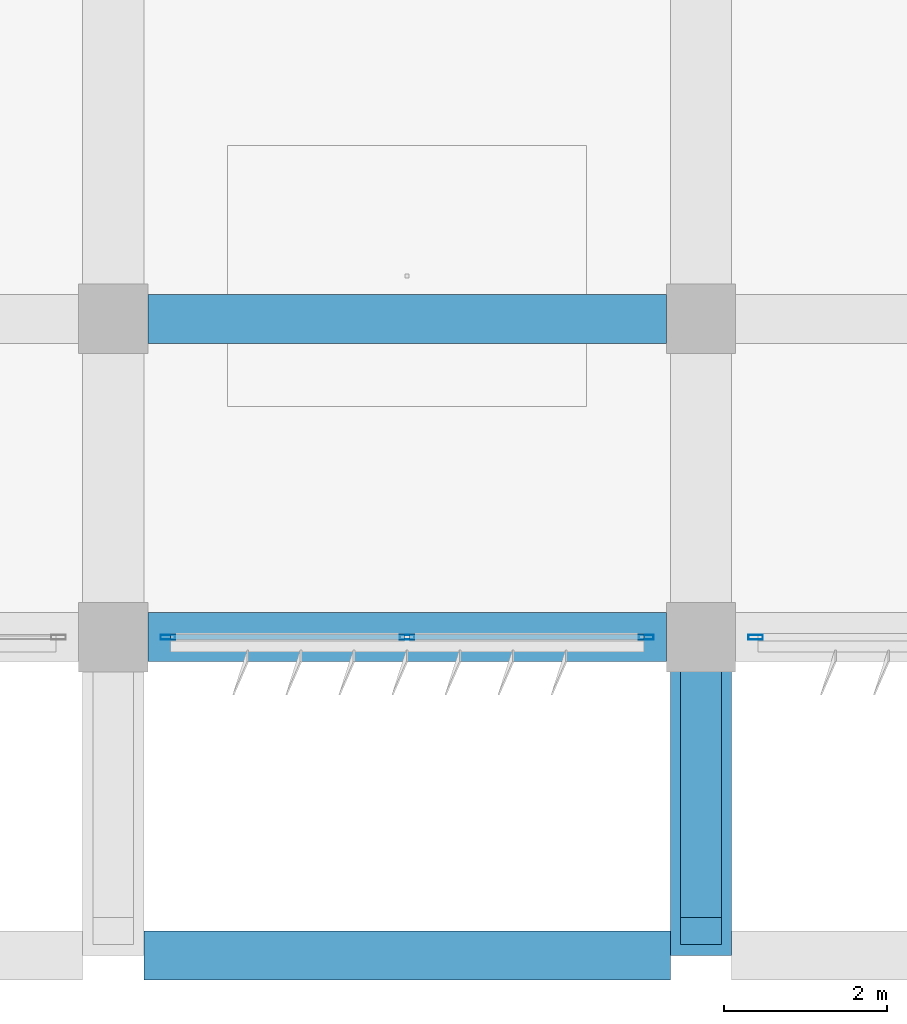
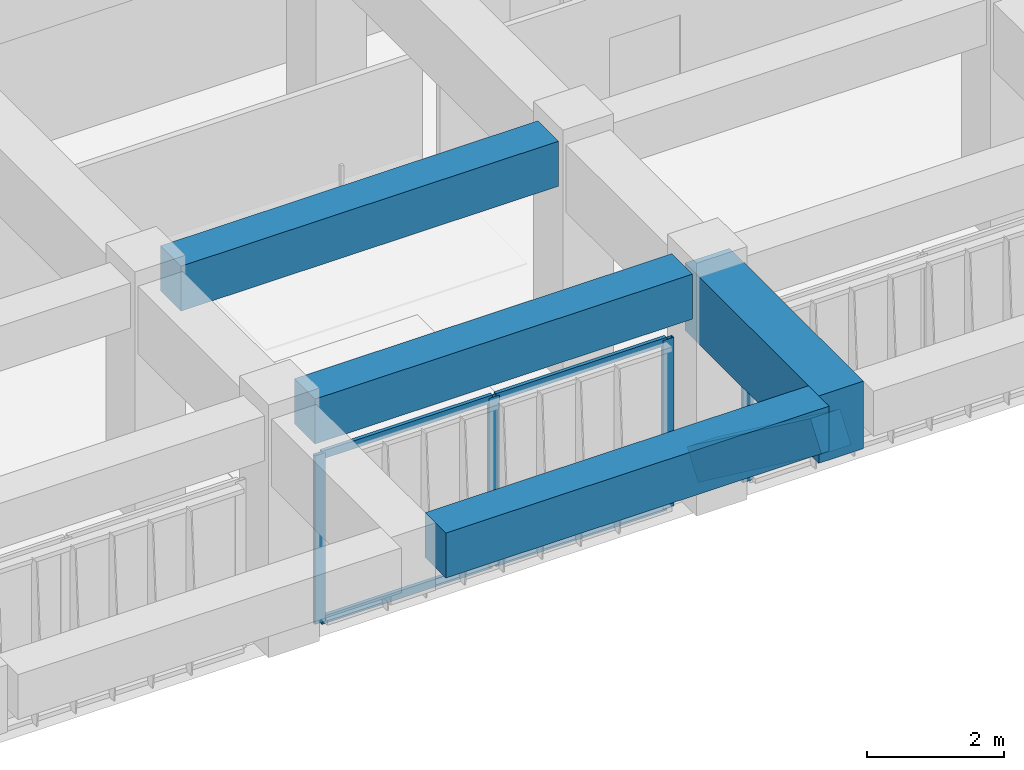
# One storey, part 3 of 56: 9 members, 4 beams, 2 elements without a shape of their own.
"""IFC4 building model written with IfcOpenShell, lengths in metres."""

from ifc_helpers import new_model, si_unit, direction, frame, origin, origin_2d, place, context, subcontext, project, spatial, rectangle, hollow_rectangle, extrude, material, material_profile, profile_set, type_object, element, aggregate, save


model = new_model("IFC4")

# Units and contexts
model_context = context("Model", 3, precision=1e-05, world=origin(), true_north=direction((0.0, 1.0)))
body_context = subcontext(model_context, "Body", "Model", "MODEL_VIEW")
ifc_project = project(units=[si_unit("LENGTHUNIT", "METRE"), si_unit("AREAUNIT", "SQUARE_METRE"), si_unit("VOLUMEUNIT", "CUBIC_METRE"), si_unit("PLANEANGLEUNIT", "RADIAN"), si_unit("MASSUNIT", "GRAM", prefix="KILO")], contexts=[model_context])

# Site, building, storey
site_placement = place(None, origin())
site = spatial("IfcSite", under=ifc_project, at=site_placement, CompositionType="ELEMENT")
building_placement = place(site_placement, origin())
building = spatial("IfcBuilding", under=site, at=building_placement, Name="Kazehaya Institute of Natural Sciences", CompositionType="ELEMENT")
storey_placement = place(building_placement, frame((0.0, 0.0, 24.300048828125)))
storey = spatial("IfcBuildingStorey", under=building, at=storey_placement, Name="L05", CompositionType="ELEMENT", Elevation=24.300048828125)

# Beams
ifc_material_1 = material(Name="Concrete Fc36", Category="concrete")
ifc_material_profile_1 = material_profile(ifc_material_1, rectangle(XDim=0.60009765625, YDim=0.800048828125, at=origin_2d()), Name="RC-600x800")
ifc_profile_set_1 = profile_set([ifc_material_profile_1], Name="Concrete Fc36")
beam_type_1 = type_object("IfcBeamType", Name="BM-G-600x800", PredefinedType="BEAM", material=ifc_profile_set_1)
beam_1_placement = place(storey_placement, frame((62.175048828125, 6.199951171875, 3.829833984375), z_axis=(1.0, 0.0, 0.0), x_axis=(0.0, 1.0, 0.0)))
element("IfcBeam", 1, at=beam_1_placement, inside=storey, type_object=beam_type_1, Name="L05 primary X girder BMX-L05-618-62", PredefinedType="BEAM", context=body_context, shape_type="SweptSolid", body=[
    extrude(rectangle(XDim=0.60009765625, YDim=0.800048828125, at=origin_2d()), origin(), (0.0, 0.0, 1.0), 6.449951171875),
])
for number, where, z_axis, x_axis, name in (
    (2, (62.22509765625, 10.10009765625, 3.829833984375), (1.0, 0.0, 0.0), (0.0, 1.0, 0.0), "L05 primary X girder BMX-L05-618-101"),
    (3, (62.22509765625, 14.0, 3.829833984375), (1.0, 0.0, 0.0), (0.0, 1.0, 0.0), "L05 primary X girder BMX-L05-618-140"),
):
    element("IfcBeam", number, at=place(storey_placement, frame(where, z_axis=z_axis, x_axis=x_axis)), inside=storey, type_object=beam_type_1, Name=name, PredefinedType="BEAM", context=body_context, shape_type="SweptSolid", body=[
        extrude(rectangle(XDim=0.60009765625, YDim=0.800048828125, at=origin_2d()), origin(), (0.0, 0.0, 1.0), 6.349853515625),
    ])
ifc_material_2 = material(Name="Concrete Fc42", Category="concrete")
ifc_material_profile_2 = material_profile(ifc_material_2, rectangle(XDim=0.75, YDim=1.199951171875, at=origin_2d()), Name="RC-750x1200")
ifc_profile_set_2 = profile_set([ifc_material_profile_2], Name="Concrete Fc42")
beam_type_2 = type_object("IfcBeamType", Name="BM-TG-750x1200", PredefinedType="BEAM", material=ifc_profile_set_2)
beam_2_placement = place(storey_placement, frame((69.0, 6.199951171875, 3.6298828125), z_axis=(0.0, 1.0, 0.0), x_axis=(-1.0, 0.0, 0.0)))
element("IfcBeam", 4, at=beam_2_placement, inside=storey, type_object=beam_type_2, Name="L05 cantilever transfer girder 1716", PredefinedType="BEAM", context=body_context, shape_type="SweptSolid", body=[
    extrude(rectangle(XDim=0.75, YDim=1.199951171875, at=origin_2d()), origin(), (0.0, 0.0, 1.0), 3.900146484375),
])

# Curtain wall, member
ifc_material_3 = material(Name="Aluminium alloy A6063S-T5", Category="aluminium")
curtain_wall_type = type_object("IfcCurtainWallType", Name="CW-SYS-04", PredefinedType="NOTDEFINED", material=ifc_material_3)
curtain_wall_1_placement = place(storey_placement, origin())
curtain_wall_1 = element("IfcCurtainWall", 5, at=curtain_wall_1_placement, inside=storey, type_object=curtain_wall_type, Name="L05 unitised curtain wall CW-L05-100", PredefinedType="NOTDEFINED")
ifc_material_profile_3 = material_profile(ifc_material_3, hollow_rectangle(XDim=0.06005859375, YDim=0.179931640625, WallThickness=0.00390625, at=origin_2d()), Name="ALU-60x180x4")
ifc_profile_set_3 = profile_set([ifc_material_profile_3], Name="Aluminium alloy A6063S-T5")
member_type_1 = type_object("IfcMemberType", Name="CWM-180", PredefinedType="MULLION", material=ifc_profile_set_3)
member_1_placement = place(storey_placement, frame((69.669921875, 10.10009765625, 0.0), z_axis=(0.0, 0.0, 1.0), x_axis=(0.0, -1.0, 0.0)))
member_1 = element("IfcMember", 6, at=member_1_placement, type_object=member_type_1, Name="CW04 mullion 3", PredefinedType="MULLION", context=body_context, shape_type="SweptSolid", body=[
    extrude(hollow_rectangle(XDim=0.06005859375, YDim=0.179931640625, WallThickness=0.00390625, at=origin_2d()), origin(), (0.0, 0.0, 1.0), 3.0),
])
aggregate(curtain_wall_1, [member_1])

# Curtain wall, members
curtain_wall_2_placement = place(storey_placement, origin())
curtain_wall_2 = element("IfcCurtainWall", 7, at=curtain_wall_2_placement, inside=storey, type_object=curtain_wall_type, Name="L05 unitised curtain wall CW-L05-101", PredefinedType="NOTDEFINED")
member_2_placement = place(storey_placement, frame((68.330078125, 10.10009765625, 0.0), z_axis=(0.0, 0.0, 1.0), x_axis=(0.0, -1.0, 0.0)))
member_2 = element("IfcMember", 8, at=member_2_placement, type_object=member_type_1, Name="CW04 mullion 1", PredefinedType="MULLION", context=body_context, shape_type="SweptSolid", body=[
    extrude(hollow_rectangle(XDim=0.06005859375, YDim=0.179931640625, WallThickness=0.00390625, at=origin_2d()), origin(), (0.0, 0.0, 1.0), 3.0),
])
member_3_placement = place(storey_placement, frame((65.39990234375, 10.10009765625, 0.0), z_axis=(0.0, 0.0, 1.0), x_axis=(0.0, -1.0, 0.0)))
member_3 = element("IfcMember", 9, at=member_3_placement, type_object=member_type_1, Name="CW04 mullion 2", PredefinedType="MULLION", context=body_context, shape_type="SweptSolid", body=[
    extrude(hollow_rectangle(XDim=0.06005859375, YDim=0.179931640625, WallThickness=0.00390625, at=origin_2d()), origin(), (0.0, 0.0, 1.0), 3.0),
])
member_4_placement = place(storey_placement, frame((62.469970703125, 10.10009765625, 0.0), z_axis=(0.0, 0.0, 1.0), x_axis=(0.0, -1.0, 0.0)))
member_4 = element("IfcMember", 10, at=member_4_placement, type_object=member_type_1, Name="CW04 mullion 3", PredefinedType="MULLION", context=body_context, shape_type="SweptSolid", body=[
    extrude(hollow_rectangle(XDim=0.06005859375, YDim=0.179931640625, WallThickness=0.00390625, at=origin_2d()), origin(), (0.0, 0.0, 1.0), 3.0),
])
ifc_material_profile_4 = material_profile(ifc_material_3, hollow_rectangle(XDim=0.06005859375, YDim=0.139892578125, WallThickness=0.00341796875, at=origin_2d()), Name="ALU-60x140x3.5")
ifc_profile_set_4 = profile_set([ifc_material_profile_4], Name="Aluminium alloy A6063S-T5")
member_type_2 = type_object("IfcMemberType", Name="CWT-140", PredefinedType="USERDEFINED", material=ifc_profile_set_4)
member_5_placement = place(storey_placement, frame((68.300048828125, 10.10009765625, 0.030029296875), z_axis=(-1.0, 0.0, 0.0), x_axis=(0.0, -1.0, 0.0)))
member_5 = element("IfcMember", 11, at=member_5_placement, type_object=member_type_2, Name="CW04 transom 1.1", ObjectType="TRANSOM", PredefinedType="USERDEFINED", context=body_context, shape_type="SweptSolid", body=[
    extrude(hollow_rectangle(XDim=0.06005859375, YDim=0.139892578125, WallThickness=0.00341796875, at=origin_2d()), origin(), (0.0, 0.0, 1.0), 2.8701171875),
])
member_6_placement = place(storey_placement, frame((68.300048828125, 10.10009765625, 2.969970703125), z_axis=(-1.0, 0.0, 0.0), x_axis=(0.0, -1.0, 0.0)))
member_6 = element("IfcMember", 12, at=member_6_placement, type_object=member_type_2, Name="CW04 transom 1.2", ObjectType="TRANSOM", PredefinedType="USERDEFINED", context=body_context, shape_type="SweptSolid", body=[
    extrude(hollow_rectangle(XDim=0.06005859375, YDim=0.139892578125, WallThickness=0.00341796875, at=origin_2d()), origin(), (0.0, 0.0, 1.0), 2.8701171875),
])
member_7_placement = place(storey_placement, frame((65.3701171875, 10.10009765625, 0.030029296875), z_axis=(-1.0, 0.0, 0.0), x_axis=(0.0, -1.0, 0.0)))
member_7 = element("IfcMember", 13, at=member_7_placement, type_object=member_type_2, Name="CW04 transom 2.1", ObjectType="TRANSOM", PredefinedType="USERDEFINED", context=body_context, shape_type="SweptSolid", body=[
    extrude(hollow_rectangle(XDim=0.06005859375, YDim=0.139892578125, WallThickness=0.00341796875, at=origin_2d()), origin(), (0.0, 0.0, 1.0), 2.8701171875),
])
member_8_placement = place(storey_placement, frame((65.3701171875, 10.10009765625, 2.969970703125), z_axis=(-1.0, 0.0, 0.0), x_axis=(0.0, -1.0, 0.0)))
member_8 = element("IfcMember", 14, at=member_8_placement, type_object=member_type_2, Name="CW04 transom 2.2", ObjectType="TRANSOM", PredefinedType="USERDEFINED", context=body_context, shape_type="SweptSolid", body=[
    extrude(hollow_rectangle(XDim=0.06005859375, YDim=0.139892578125, WallThickness=0.00341796875, at=origin_2d()), origin(), (0.0, 0.0, 1.0), 2.8701171875),
])
aggregate(curtain_wall_2, [member_2, member_3, member_4, member_5, member_6, member_7, member_8])

# Member
ifc_material_profile_5 = material_profile(ifc_material_2, rectangle(XDim=0.5, YDim=0.550048828125, at=origin_2d()), Name="RC-500x550")
ifc_profile_set_5 = profile_set([ifc_material_profile_5], Name="Concrete Fc42")
member_type_3 = type_object("IfcMemberType", Name="MEM-STRUT-RC500", PredefinedType="BRACE", material=ifc_profile_set_5)
member_9_placement = place(storey_placement, frame((69.0, 10.10009765625, 0.599853515625), z_axis=(0.0, -0.802122938841, 0.597158932768), x_axis=(1.0, 0.0, 0.0)))
element("IfcMember", 15, at=member_9_placement, inside=storey, type_object=member_type_3, Name="L05 raked cantilever strut 013", PredefinedType="BRACE", context=body_context, shape_type="SweptSolid", body=[
    extrude(rectangle(XDim=0.5, YDim=0.550048828125, at=origin_2d()), origin(), (0.0, 0.0, 1.0), 4.48828125),
])

save(model, "model.ifc")
